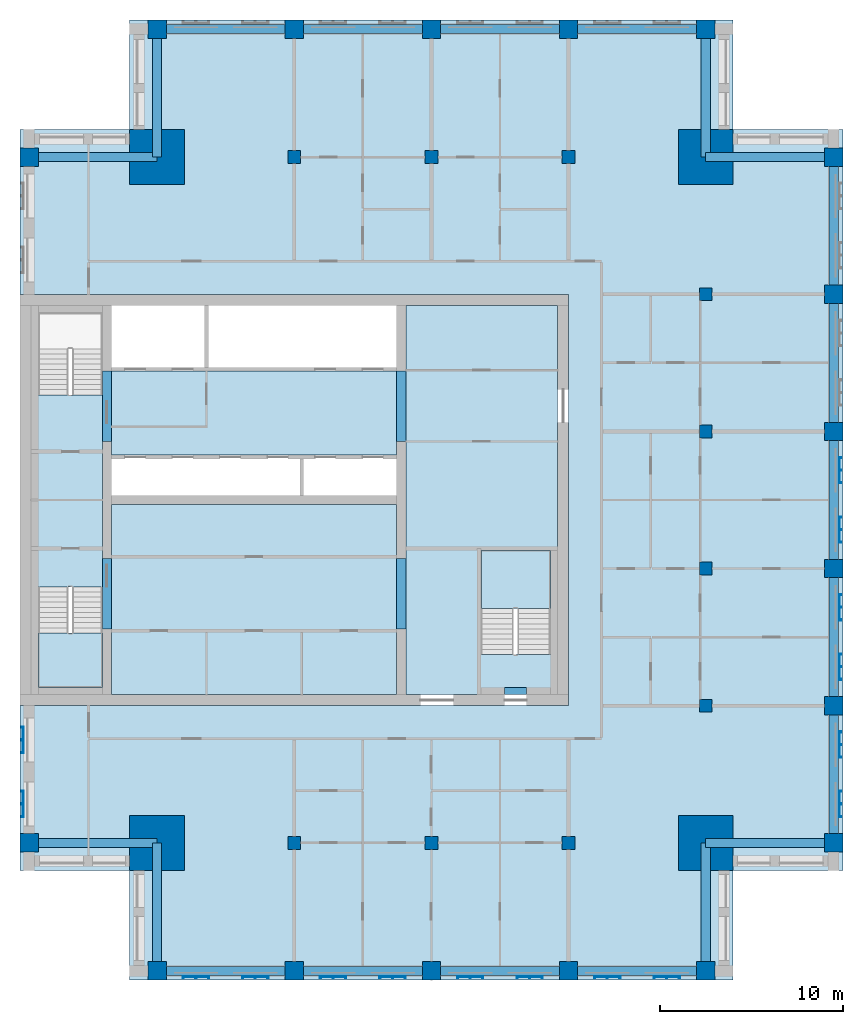
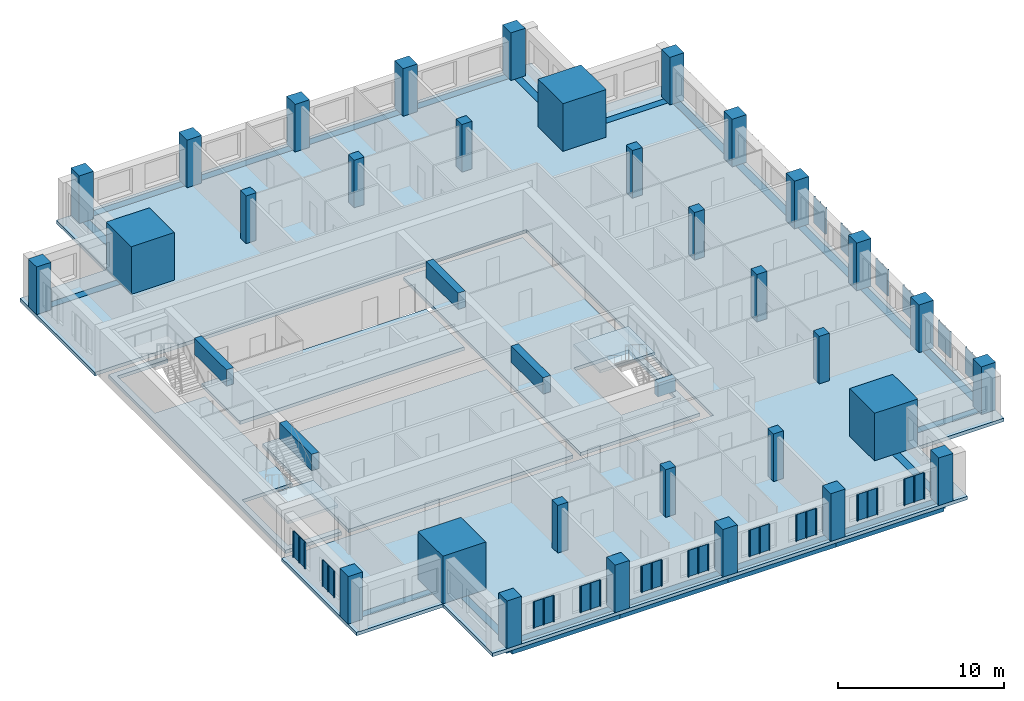
# One storey, part 1 of 10: 32 columns, 26 beams, 16 plates, 7 slabs, 2 elements without a shape of their own.
"""IFC4 building model written with IfcOpenShell, lengths in metres."""

from ifc_helpers import new_model, si_unit, direction, frame, origin, origin_2d, place, context, subcontext, project, spatial, polyline, rectangle, outline, extrude, material, layer, layer_set, material_profile, profile_set, type_object, element, aggregate, save


model = new_model("IFC4")

# Units and contexts
model_context = context("Model", 3, precision=1e-05, world=origin(), true_north=direction((0.0, 1.0)))
body_context = subcontext(model_context, "Body", "Model", "MODEL_VIEW")
ifc_project = project(units=[si_unit("LENGTHUNIT", "METRE"), si_unit("AREAUNIT", "SQUARE_METRE"), si_unit("VOLUMEUNIT", "CUBIC_METRE"), si_unit("PLANEANGLEUNIT", "RADIAN"), si_unit("MASSUNIT", "GRAM", prefix="KILO")], contexts=[model_context])

# Site, building, storey
site_placement = place(None, origin())
site = spatial("IfcSite", under=ifc_project, at=site_placement, CompositionType="ELEMENT")
building_placement = place(site_placement, origin())
building = spatial("IfcBuilding", under=site, at=building_placement, Name="Tamorin Gate", CompositionType="ELEMENT")
storey_placement = place(building_placement, frame((0.0, 0.0, 283.699951171875)))
storey = spatial("IfcBuildingStorey", under=building, at=storey_placement, Name="L71", CompositionType="ELEMENT", Elevation=283.699951171875)

# Columns
ifc_material_1 = material(Name="Concrete C50/60", Category="concrete")
ifc_material_profile_1 = material_profile(ifc_material_1, rectangle(XDim=1.0, YDim=1.0, at=origin_2d()), Name="RC 1000x1000")
ifc_profile_set_1 = profile_set([ifc_material_profile_1], Name="Concrete C50/60")
column_type_1 = type_object("IfcColumnType", Name="RC column 1000x1000 C50/60", PredefinedType="COLUMN", material=ifc_profile_set_1)
for number, where, z_axis, x_axis, name in (
    (1, (30.5, 52.5, 0.0), (0.0, 0.0, 1.0), (1.0, 0.0, 0.0), "Ring column L71"),
    (2, (30.5, 90.0, 0.0), (0.0, 0.0, 1.0), (1.0, 0.0, 0.0), "Ring column L71"),
    (3, (37.5, 45.5, 0.0), (0.0, 0.0, 1.0), (1.0, 0.0, 0.0), "Ring column L71"),
    (4, (37.5, 97.0, 0.0), (0.0, 0.0, 1.0), (1.0, 0.0, 0.0), "Ring column L71"),
    (5, (45.0, 45.5, 0.0), (0.0, 0.0, 1.0), (1.0, 0.0, 0.0), "Ring column L71"),
    (6, (45.0, 97.0, 0.0), (0.0, 0.0, 1.0), (1.0, 0.0, 0.0), "Ring column L71"),
    (7, (52.5, 45.5, 0.0), (0.0, 0.0, 1.0), (1.0, 0.0, 0.0), "Ring column L71"),
    (8, (52.5, 97.0, 0.0), (0.0, 0.0, 1.0), (1.0, 0.0, 0.0), "Ring column L71"),
    (9, (60.0, 45.5, 0.0), (0.0, 0.0, 1.0), (1.0, 0.0, 0.0), "Ring column L71"),
    (10, (60.0, 97.0, 0.0), (0.0, 0.0, 1.0), (1.0, 0.0, 0.0), "Ring column L71"),
    (11, (67.5, 45.5, 0.0), (0.0, 0.0, 1.0), (1.0, 0.0, 0.0), "Ring column L71"),
    (12, (67.5, 97.0, 0.0), (0.0, 0.0, 1.0), (1.0, 0.0, 0.0), "Ring column L71"),
    (13, (74.5, 52.5, 0.0), (0.0, 0.0, 1.0), (1.0, 0.0, 0.0), "Ring column L71"),
    (14, (74.5, 60.0, 0.0), (0.0, 0.0, 1.0), (1.0, 0.0, 0.0), "Ring column L71"),
    (15, (74.5, 67.5, 0.0), (0.0, 0.0, 1.0), (1.0, 0.0, 0.0), "Ring column L71"),
    (16, (74.5, 75.0, 0.0), (0.0, 0.0, 1.0), (1.0, 0.0, 0.0), "Ring column L71"),
    (17, (74.5, 82.5, 0.0), (0.0, 0.0, 1.0), (1.0, 0.0, 0.0), "Ring column L71"),
    (18, (74.5, 90.0, 0.0), (0.0, 0.0, 1.0), (1.0, 0.0, 0.0), "Ring column L71"),
):
    element("IfcColumn", number, at=place(storey_placement, frame(where, z_axis=z_axis, x_axis=x_axis)), inside=storey, type_object=column_type_1, Name=name, PredefinedType="COLUMN", context=body_context, shape_type="SweptSolid", body=[
        extrude(rectangle(XDim=1.0, YDim=1.0, at=origin_2d()), origin(), (0.0, 0.0, 1.0), 3.5),
    ])
ifc_material_profile_2 = material_profile(ifc_material_1, rectangle(XDim=3.0, YDim=3.0, at=origin_2d()), Name="RC 3000x3000")
ifc_profile_set_2 = profile_set([ifc_material_profile_2], Name="Concrete C50/60")
column_type_2 = type_object("IfcColumnType", Name="RC column 3000x3000 C50/60", PredefinedType="COLUMN", material=ifc_profile_set_2)
for number, where, z_axis, x_axis, name in (
    (19, (37.5, 52.5, 0.0), (0.0, 0.0, 1.0), (1.0, 0.0, 0.0), "Mega column SW L71"),
    (20, (67.5, 52.5, 0.0), (0.0, 0.0, 1.0), (1.0, 0.0, 0.0), "Mega column SE L71"),
    (21, (37.5, 90.0, 0.0), (0.0, 0.0, 1.0), (1.0, 0.0, 0.0), "Mega column NW L71"),
    (22, (67.5, 90.0, 0.0), (0.0, 0.0, 1.0), (1.0, 0.0, 0.0), "Mega column NE L71"),
):
    element("IfcColumn", number, at=place(storey_placement, frame(where, z_axis=z_axis, x_axis=x_axis)), inside=storey, type_object=column_type_2, Name=name, PredefinedType="COLUMN", context=body_context, shape_type="SweptSolid", body=[
        extrude(rectangle(XDim=3.0, YDim=3.0, at=origin_2d()), origin(), (0.0, 0.0, 1.0), 3.5),
    ])
ifc_material_profile_3 = material_profile(ifc_material_1, rectangle(XDim=0.699951171875, YDim=0.699951171875, at=origin_2d()), Name="RC 700x700")
ifc_profile_set_3 = profile_set([ifc_material_profile_3], Name="Concrete C50/60")
column_type_3 = type_object("IfcColumnType", Name="RC column 700x700 C50/60", PredefinedType="COLUMN", material=ifc_profile_set_3)
for number, where, z_axis, x_axis, name in (
    (23, (45.0, 52.5, 0.0), (0.0, 0.0, 1.0), (1.0, 0.0, 0.0), "Interior column L71"),
    (24, (45.0, 90.0, 0.0), (0.0, 0.0, 1.0), (1.0, 0.0, 0.0), "Interior column L71"),
    (25, (52.5, 52.5, 0.0), (0.0, 0.0, 1.0), (1.0, 0.0, 0.0), "Interior column L71"),
    (26, (52.5, 90.0, 0.0), (0.0, 0.0, 1.0), (1.0, 0.0, 0.0), "Interior column L71"),
    (27, (60.0, 52.5, 0.0), (0.0, 0.0, 1.0), (1.0, 0.0, 0.0), "Interior column L71"),
    (28, (60.0, 90.0, 0.0), (0.0, 0.0, 1.0), (1.0, 0.0, 0.0), "Interior column L71"),
    (29, (67.5, 60.0, 0.0), (0.0, 0.0, 1.0), (1.0, 0.0, 0.0), "Interior column L71"),
    (30, (67.5, 67.5, 0.0), (0.0, 0.0, 1.0), (1.0, 0.0, 0.0), "Interior column L71"),
    (31, (67.5, 75.0, 0.0), (0.0, 0.0, 1.0), (1.0, 0.0, 0.0), "Interior column L71"),
    (32, (67.5, 82.5, 0.0), (0.0, 0.0, 1.0), (1.0, 0.0, 0.0), "Interior column L71"),
):
    element("IfcColumn", number, at=place(storey_placement, frame(where, z_axis=z_axis, x_axis=x_axis)), inside=storey, type_object=column_type_3, Name=name, PredefinedType="COLUMN", context=body_context, shape_type="SweptSolid", body=[
        extrude(rectangle(XDim=0.699951171875, YDim=0.699951171875, at=origin_2d()), origin(), (0.0, 0.0, 1.0), 3.5),
    ])

# Beams
ifc_material_profile_4 = material_profile(ifc_material_1, rectangle(XDim=0.5, YDim=1.199951171875, at=origin_2d()), Name="RC 500x1200")
ifc_profile_set_4 = profile_set([ifc_material_profile_4], Name="Concrete C50/60")
beam_type_1 = type_object("IfcBeamType", Name="RC coupling beam 500x1200 C50/60", PredefinedType="BEAM", material=ifc_profile_set_4)
for number, where, z_axis, x_axis, name in (
    (33, (34.75, 64.199951171875, 2.900146484375), (0.0, 1.0, 0.0), (-1.0, 0.0, 0.0), "Coupling beam L71"),
    (34, (34.75, 74.449951171875, 2.900146484375), (0.0, 1.0, 0.0), (-1.0, 0.0, 0.0), "Coupling beam L71"),
    (35, (50.85009765625, 64.199951171875, 2.900146484375), (0.0, 1.0, 0.0), (-1.0, 0.0, 0.0), "Coupling beam L71"),
    (36, (50.85009765625, 74.449951171875, 2.900146484375), (0.0, 1.0, 0.0), (-1.0, 0.0, 0.0), "Coupling beam L71"),
):
    element("IfcBeam", number, at=place(storey_placement, frame(where, z_axis=z_axis, x_axis=x_axis)), inside=storey, type_object=beam_type_1, Name=name, PredefinedType="BEAM", context=body_context, shape_type="SweptSolid", body=[
        extrude(rectangle(XDim=0.5, YDim=1.199951171875, at=origin_2d()), origin(), (0.0, 0.0, 1.0), 3.85009765625),
    ])
ifc_material_profile_5 = material_profile(ifc_material_1, rectangle(XDim=0.5, YDim=0.75, at=origin_2d()), Name="RC 500x750")
ifc_profile_set_5 = profile_set([ifc_material_profile_5], Name="Concrete C50/60")
beam_type_2 = type_object("IfcBeamType", Name="RC spandrel 500x750 C50/60", PredefinedType="BEAM", material=ifc_profile_set_5)
for number, where, z_axis, x_axis, name in (
    (37, (37.5, 45.5, -0.375), (1.0, 0.0, 0.0), (0.0, 1.0, 0.0), "Spandrel beam L71"),
    (38, (45.0, 45.5, -0.375), (1.0, 0.0, 0.0), (0.0, 1.0, 0.0), "Spandrel beam L71"),
    (39, (52.5, 45.5, -0.375), (1.0, 0.0, 0.0), (0.0, 1.0, 0.0), "Spandrel beam L71"),
    (40, (60.0, 45.5, -0.375), (1.0, 0.0, 0.0), (0.0, 1.0, 0.0), "Spandrel beam L71"),
    (41, (74.5, 52.5, -0.375), (0.0, 1.0, 0.0), (-1.0, 0.0, 0.0), "Spandrel beam L71"),
    (42, (74.5, 60.0, -0.375), (0.0, 1.0, 0.0), (-1.0, 0.0, 0.0), "Spandrel beam L71"),
    (43, (74.5, 67.5, -0.375), (0.0, 1.0, 0.0), (-1.0, 0.0, 0.0), "Spandrel beam L71"),
    (44, (74.5, 75.0, -0.375), (0.0, 1.0, 0.0), (-1.0, 0.0, 0.0), "Spandrel beam L71"),
    (45, (74.5, 82.5, -0.375), (0.0, 1.0, 0.0), (-1.0, 0.0, 0.0), "Spandrel beam L71"),
    (46, (67.5, 97.0, -0.375), (-1.0, 0.0, 0.0), (0.0, -1.0, 0.0), "Spandrel beam L71"),
    (47, (60.0, 97.0, -0.375), (-1.0, 0.0, 0.0), (0.0, -1.0, 0.0), "Spandrel beam L71"),
    (48, (52.5, 97.0, -0.375), (-1.0, 0.0, 0.0), (0.0, -1.0, 0.0), "Spandrel beam L71"),
    (49, (45.0, 97.0, -0.375), (-1.0, 0.0, 0.0), (0.0, -1.0, 0.0), "Spandrel beam L71"),
):
    element("IfcBeam", number, at=place(storey_placement, frame(where, z_axis=z_axis, x_axis=x_axis)), inside=storey, type_object=beam_type_2, Name=name, PredefinedType="BEAM", context=body_context, shape_type="SweptSolid", body=[
        extrude(rectangle(XDim=0.5, YDim=0.75, at=origin_2d()), origin(), (0.0, 0.0, 1.0), 7.5),
    ])
for number, where, z_axis, x_axis, name in (
    (50, (37.5, 52.5, -0.375), (-1.0, 0.0, 0.0), (0.0, -1.0, 0.0), "Corner tie beam L71"),
    (51, (37.5, 52.5, -0.375), (0.0, -1.0, 0.0), (1.0, 0.0, 0.0), "Corner tie beam L71"),
    (52, (67.5, 52.5, -0.375), (0.0, -1.0, 0.0), (1.0, 0.0, 0.0), "Corner tie beam L71"),
    (53, (67.5, 52.5, -0.375), (1.0, 0.0, 0.0), (0.0, 1.0, 0.0), "Corner tie beam L71"),
    (54, (37.5, 90.0, -0.375), (-1.0, 0.0, 0.0), (0.0, -1.0, 0.0), "Corner tie beam L71"),
    (55, (37.5, 90.0, -0.375), (0.0, 1.0, 0.0), (-1.0, 0.0, 0.0), "Corner tie beam L71"),
    (56, (67.5, 90.0, -0.375), (0.0, 1.0, 0.0), (-1.0, 0.0, 0.0), "Corner tie beam L71"),
    (57, (67.5, 90.0, -0.375), (1.0, 0.0, 0.0), (0.0, 1.0, 0.0), "Corner tie beam L71"),
):
    element("IfcBeam", number, at=place(storey_placement, frame(where, z_axis=z_axis, x_axis=x_axis)), inside=storey, type_object=beam_type_2, Name=name, PredefinedType="BEAM", context=body_context, shape_type="SweptSolid", body=[
        extrude(rectangle(XDim=0.5, YDim=0.75, at=origin_2d()), origin(), (0.0, 0.0, 1.0), 7.0),
    ])
ifc_material_profile_6 = material_profile(ifc_material_1, rectangle(XDim=0.39990234375, YDim=1.0, at=origin_2d()))
ifc_profile_set_6 = profile_set([ifc_material_profile_6], Name="Concrete C50/60")
beam_type_3 = type_object("IfcBeamType", Name="Stair lintel 400x1000 C50/60", PredefinedType="BEAM", material=ifc_profile_set_6)
beam_placement = place(storey_placement, frame((56.5, 60.800048828125, 2.699951171875), z_axis=(1.0, 0.0, 0.0), x_axis=(0.0, 1.0, 0.0)))
element("IfcBeam", 58, at=beam_placement, inside=storey, type_object=beam_type_3, Name="Stair lintel", PredefinedType="BEAM", context=body_context, shape_type="SweptSolid", body=[
    extrude(rectangle(XDim=0.39990234375, YDim=1.0, at=origin_2d()), origin(), (0.0, 0.0, 1.0), 1.199951171875),
])

# Slabs
ifc_material_2 = material(Name="Concrete C40/50", Category="concrete")
ifc_layer_1 = layer(ifc_material_2, 0.25)
ifc_layer_set_1 = layer_set([ifc_layer_1], Name="Core floor slab 250 C40/50")
slab_type_1 = type_object("IfcSlabType", Name="Core floor slab 250 C40/50", PredefinedType="FLOOR", material=ifc_layer_set_1)
slab_1_placement = place(storey_placement, frame((0.0, 0.0, -0.25)))
element("IfcSlab", 59, at=slab_1_placement, inside=storey, type_object=slab_type_1, Name="Core floor L71", PredefinedType="FLOOR", context=body_context, shape_type="SweptSolid", body=[
    extrude(outline(polyline([(51.10009765625, 81.89990234375), (59.39990234375, 81.89990234375), (59.39990234375, 60.60009765625), (51.10009765625, 60.60009765625), (51.10009765625, 81.89990234375)]), holes=[polyline([(55.199951171875, 62.800048828125), (59.0, 62.800048828125), (59.0, 68.5), (55.199951171875, 68.5), (55.199951171875, 62.800048828125)])]), origin(), (0.0, 0.0, 1.0), 0.25),
])
slab_2_placement = place(storey_placement, frame((0.0, 0.0, -0.25)))
element("IfcSlab", 60, at=slab_2_placement, inside=storey, type_object=slab_type_1, Name="Core floor L71", PredefinedType="FLOOR", context=body_context, shape_type="SweptSolid", body=[
    extrude(outline(polyline([(50.60009765625, 71.0), (50.60009765625, 60.60009765625), (35.0, 60.60009765625), (35.0, 71.0), (50.60009765625, 71.0)])), origin(), (0.0, 0.0, 1.0), 0.25),
])
slab_3_placement = place(storey_placement, frame((0.0, 0.0, -0.25)))
element("IfcSlab", 61, at=slab_3_placement, inside=storey, type_object=slab_type_1, Name="Core floor L71", PredefinedType="FLOOR", context=body_context, shape_type="SweptSolid", body=[
    extrude(outline(polyline([(50.60009765625, 73.699951171875), (35.0, 73.699951171875), (35.0, 78.300048828125), (50.60009765625, 78.300048828125), (50.60009765625, 73.699951171875)])), origin(), (0.0, 0.0, 1.0), 0.25),
])
slab_4_placement = place(storey_placement, frame((0.0, 0.0, -0.25)))
element("IfcSlab", 62, at=slab_4_placement, inside=storey, type_object=slab_type_1, Name="Core floor L71", PredefinedType="FLOOR", context=body_context, shape_type="SweptSolid", body=[
    extrude(outline(polyline([(34.5, 60.60009765625), (30.60009765625, 60.60009765625), (30.60009765625, 81.89990234375), (34.5, 81.89990234375), (34.5, 81.5), (31.0, 81.5), (31.0, 77.0), (34.5, 77.0), (34.5, 66.5), (31.0, 66.5), (31.0, 61.0), (34.5, 61.0), (34.5, 60.60009765625)])), origin(), (0.0, 0.0, 1.0), 0.25),
])

# Stair, slab
stair_type = type_object("IfcStairType", Name="Exit stair", PredefinedType="HALF_TURN_STAIR", material=ifc_material_2)
stair_1_placement = place(storey_placement, origin())
stair_1 = element("IfcStair", 63, at=stair_1_placement, inside=storey, type_object=stair_type, Name="L71 stair ST1", PredefinedType="HALF_TURN_STAIR")
ifc_layer_2 = layer(ifc_material_2, 0.199951171875)
ifc_layer_set_2 = layer_set([ifc_layer_2], Name="Exit stair landing 200")
slab_type_2 = type_object("IfcSlabType", Name="Exit stair landing 200", PredefinedType="LANDING", material=ifc_layer_set_2)
slab_5_placement = place(storey_placement, frame((0.0, 0.0, 1.550048828125)))
slab_5 = element("IfcSlab", 64, at=slab_5_placement, type_object=slab_type_2, Name="ST1 landing 1", PredefinedType="LANDING", context=body_context, shape_type="SweptSolid", body=[
    extrude(outline(polyline([(31.0, 63.97998046875), (31.0, 61.0), (34.5, 61.0), (34.5, 63.97998046875), (31.0, 63.97998046875)])), origin(), (0.0, 0.0, 1.0), 0.199951171875),
])
aggregate(stair_1, [slab_5])

stair_2_placement = place(storey_placement, origin())
stair_2 = element("IfcStair", 65, at=stair_2_placement, inside=storey, type_object=stair_type, Name="L71 stair ST3", PredefinedType="HALF_TURN_STAIR")
slab_6_placement = place(storey_placement, frame((0.0, 0.0, 1.550048828125)))
slab_6 = element("IfcSlab", 66, at=slab_6_placement, type_object=slab_type_2, Name="ST3 landing 1", PredefinedType="LANDING", context=body_context, shape_type="SweptSolid", body=[
    extrude(outline(polyline([(59.0, 65.320068359375), (59.0, 68.5), (55.199951171875, 68.5), (55.199951171875, 65.320068359375), (59.0, 65.320068359375)])), origin(), (0.0, 0.0, 1.0), 0.199951171875),
])
aggregate(stair_2, [slab_6])

# Slab
ifc_layer_3 = layer(ifc_material_2, 0.25)
ifc_layer_set_3 = layer_set([ifc_layer_3], Name="Floor slab 250 C40/50")
slab_type_3 = type_object("IfcSlabType", Name="Floor slab 250 C40/50", PredefinedType="FLOOR", material=ifc_layer_set_3)
slab_7_placement = place(storey_placement, frame((0.0, 0.0, -0.25)))
element("IfcSlab", 67, at=slab_7_placement, inside=storey, type_object=slab_type_3, Name="Floor L71", PredefinedType="FLOOR", context=body_context, shape_type="SweptSolid", body=[
    extrude(outline(polyline([(30.0, 91.5), (36.0, 91.5), (36.0, 97.5), (69.0, 97.5), (69.0, 91.5), (75.0, 91.5), (75.0, 51.0), (69.0, 51.0), (69.0, 45.0), (36.0, 45.0), (36.0, 51.0), (30.0, 51.0), (30.0, 60.0), (60.0, 60.0), (60.0, 82.5), (30.0, 82.5), (30.0, 91.5)])), origin(), (0.0, 0.0, 1.0), 0.25),
])

# Plates
ifc_material_3 = material(Name="Perforated pale aluminium sheet", Category="aluminium")
ifc_layer_4 = layer(ifc_material_3, 0.0400390625)
ifc_layer_set_4 = layer_set([ifc_layer_4], Name="Pale metal solar screen 1440")
plate_type = type_object("IfcPlateType", Name="Pale metal solar screen 1440", PredefinedType="SHEET", material=ifc_layer_set_4)
plate_1_placement = place(storey_placement, frame((0.0, 0.0, 0.737548828125)))
element("IfcPlate", 68, at=plate_1_placement, inside=storey, type_object=plate_type, Name="Perforated solar screen", PredefinedType="SHEET", context=body_context, shape_type="SweptSolid", body=[
    extrude(outline(polyline([(38.905029296875, 45.159912109375), (38.905029296875, 45.199951171875), (38.965087890625, 45.199951171875), (39.594970703125, 45.199951171875), (39.655029296875, 45.199951171875), (40.284912109375, 45.199951171875), (40.344970703125, 45.199951171875), (40.344970703125, 45.199951171875), (40.344970703125, 45.159912109375), (40.344970703125, 45.159912109375), (40.344970703125, 45.10009765625), (40.284912109375, 45.10009765625), (40.284912109375, 45.159912109375), (39.655029296875, 45.159912109375), (39.655029296875, 45.10009765625), (39.594970703125, 45.10009765625), (39.594970703125, 45.159912109375), (38.965087890625, 45.159912109375), (38.965087890625, 45.10009765625), (38.905029296875, 45.10009765625), (38.905029296875, 45.159912109375)])), origin(), (0.0, 0.0, 1.0), 1.925048828125),
])
plate_2_placement = place(storey_placement, frame((0.0, 0.0, 0.737548828125)))
element("IfcPlate", 69, at=plate_2_placement, inside=storey, type_object=plate_type, Name="Perforated solar screen", PredefinedType="SHEET", context=body_context, shape_type="SweptSolid", body=[
    extrude(outline(polyline([(42.155029296875, 45.159912109375), (42.155029296875, 45.199951171875), (42.215087890625, 45.199951171875), (42.844970703125, 45.199951171875), (42.905029296875, 45.199951171875), (43.534912109375, 45.199951171875), (43.594970703125, 45.199951171875), (43.594970703125, 45.199951171875), (43.594970703125, 45.159912109375), (43.594970703125, 45.159912109375), (43.594970703125, 45.10009765625), (43.534912109375, 45.10009765625), (43.534912109375, 45.159912109375), (42.905029296875, 45.159912109375), (42.905029296875, 45.10009765625), (42.844970703125, 45.10009765625), (42.844970703125, 45.159912109375), (42.215087890625, 45.159912109375), (42.215087890625, 45.10009765625), (42.155029296875, 45.10009765625), (42.155029296875, 45.159912109375)])), origin(), (0.0, 0.0, 1.0), 1.925048828125),
])
plate_3_placement = place(storey_placement, frame((0.0, 0.0, 0.737548828125)))
element("IfcPlate", 70, at=plate_3_placement, inside=storey, type_object=plate_type, Name="Perforated solar screen", PredefinedType="SHEET", context=body_context, shape_type="SweptSolid", body=[
    extrude(outline(polyline([(46.405029296875, 45.159912109375), (46.405029296875, 45.199951171875), (46.465087890625, 45.199951171875), (47.094970703125, 45.199951171875), (47.155029296875, 45.199951171875), (47.784912109375, 45.199951171875), (47.844970703125, 45.199951171875), (47.844970703125, 45.159912109375), (47.844970703125, 45.10009765625), (47.784912109375, 45.10009765625), (47.784912109375, 45.159912109375), (47.155029296875, 45.159912109375), (47.155029296875, 45.10009765625), (47.094970703125, 45.10009765625), (47.094970703125, 45.159912109375), (46.465087890625, 45.159912109375), (46.465087890625, 45.10009765625), (46.405029296875, 45.10009765625), (46.405029296875, 45.159912109375)])), origin(), (0.0, 0.0, 1.0), 1.925048828125),
])
plate_4_placement = place(storey_placement, frame((0.0, 0.0, 0.737548828125)))
element("IfcPlate", 71, at=plate_4_placement, inside=storey, type_object=plate_type, Name="Perforated solar screen", PredefinedType="SHEET", context=body_context, shape_type="SweptSolid", body=[
    extrude(outline(polyline([(49.655029296875, 45.159912109375), (49.655029296875, 45.199951171875), (49.715087890625, 45.199951171875), (50.344970703125, 45.199951171875), (50.405029296875, 45.199951171875), (51.034912109375, 45.199951171875), (51.094970703125, 45.199951171875), (51.094970703125, 45.159912109375), (51.094970703125, 45.10009765625), (51.034912109375, 45.10009765625), (51.034912109375, 45.159912109375), (50.405029296875, 45.159912109375), (50.405029296875, 45.10009765625), (50.344970703125, 45.10009765625), (50.344970703125, 45.159912109375), (49.715087890625, 45.159912109375), (49.715087890625, 45.10009765625), (49.655029296875, 45.10009765625), (49.655029296875, 45.159912109375)])), origin(), (0.0, 0.0, 1.0), 1.925048828125),
])
plate_5_placement = place(storey_placement, frame((0.0, 0.0, 0.737548828125)))
element("IfcPlate", 72, at=plate_5_placement, inside=storey, type_object=plate_type, Name="Perforated solar screen", PredefinedType="SHEET", context=body_context, shape_type="SweptSolid", body=[
    extrude(outline(polyline([(53.905029296875, 45.159912109375), (53.905029296875, 45.199951171875), (53.965087890625, 45.199951171875), (54.594970703125, 45.199951171875), (54.655029296875, 45.199951171875), (55.284912109375, 45.199951171875), (55.344970703125, 45.199951171875), (55.344970703125, 45.159912109375), (55.344970703125, 45.10009765625), (55.284912109375, 45.10009765625), (55.284912109375, 45.159912109375), (54.655029296875, 45.159912109375), (54.655029296875, 45.10009765625), (54.594970703125, 45.10009765625), (54.594970703125, 45.159912109375), (53.965087890625, 45.159912109375), (53.965087890625, 45.10009765625), (53.905029296875, 45.10009765625), (53.905029296875, 45.159912109375)])), origin(), (0.0, 0.0, 1.0), 1.925048828125),
])
plate_6_placement = place(storey_placement, frame((0.0, 0.0, 0.737548828125)))
element("IfcPlate", 73, at=plate_6_placement, inside=storey, type_object=plate_type, Name="Perforated solar screen", PredefinedType="SHEET", context=body_context, shape_type="SweptSolid", body=[
    extrude(outline(polyline([(57.155029296875, 45.159912109375), (57.155029296875, 45.199951171875), (57.215087890625, 45.199951171875), (57.844970703125, 45.199951171875), (57.905029296875, 45.199951171875), (58.534912109375, 45.199951171875), (58.594970703125, 45.199951171875), (58.594970703125, 45.159912109375), (58.594970703125, 45.10009765625), (58.534912109375, 45.10009765625), (58.534912109375, 45.159912109375), (57.905029296875, 45.159912109375), (57.905029296875, 45.10009765625), (57.844970703125, 45.10009765625), (57.844970703125, 45.159912109375), (57.215087890625, 45.159912109375), (57.215087890625, 45.10009765625), (57.155029296875, 45.10009765625), (57.155029296875, 45.159912109375)])), origin(), (0.0, 0.0, 1.0), 1.925048828125),
])
plate_7_placement = place(storey_placement, frame((0.0, 0.0, 0.737548828125)))
element("IfcPlate", 74, at=plate_7_placement, inside=storey, type_object=plate_type, Name="Perforated solar screen", PredefinedType="SHEET", context=body_context, shape_type="SweptSolid", body=[
    extrude(outline(polyline([(61.405029296875, 45.159912109375), (61.405029296875, 45.199951171875), (61.465087890625, 45.199951171875), (62.094970703125, 45.199951171875), (62.155029296875, 45.199951171875), (62.784912109375, 45.199951171875), (62.844970703125, 45.199951171875), (62.844970703125, 45.159912109375), (62.844970703125, 45.10009765625), (62.784912109375, 45.10009765625), (62.784912109375, 45.159912109375), (62.155029296875, 45.159912109375), (62.155029296875, 45.10009765625), (62.094970703125, 45.10009765625), (62.094970703125, 45.159912109375), (61.465087890625, 45.159912109375), (61.465087890625, 45.10009765625), (61.405029296875, 45.10009765625), (61.405029296875, 45.159912109375)])), origin(), (0.0, 0.0, 1.0), 1.925048828125),
])
plate_8_placement = place(storey_placement, frame((0.0, 0.0, 0.737548828125)))
element("IfcPlate", 75, at=plate_8_placement, inside=storey, type_object=plate_type, Name="Perforated solar screen", PredefinedType="SHEET", context=body_context, shape_type="SweptSolid", body=[
    extrude(outline(polyline([(64.655029296875, 45.159912109375), (64.655029296875, 45.199951171875), (64.715087890625, 45.199951171875), (65.344970703125, 45.199951171875), (65.405029296875, 45.199951171875), (66.034912109375, 45.199951171875), (66.094970703125, 45.199951171875), (66.094970703125, 45.159912109375), (66.094970703125, 45.10009765625), (66.034912109375, 45.10009765625), (66.034912109375, 45.159912109375), (65.405029296875, 45.159912109375), (65.405029296875, 45.10009765625), (65.344970703125, 45.10009765625), (65.344970703125, 45.159912109375), (64.715087890625, 45.159912109375), (64.715087890625, 45.10009765625), (64.655029296875, 45.10009765625), (64.655029296875, 45.159912109375)])), origin(), (0.0, 0.0, 1.0), 1.925048828125),
])
plate_9_placement = place(storey_placement, frame((0.0, 0.0, 0.737548828125)))
element("IfcPlate", 76, at=plate_9_placement, inside=storey, type_object=plate_type, Name="Perforated solar screen", PredefinedType="SHEET", context=body_context, shape_type="SweptSolid", body=[
    extrude(outline(polyline([(74.840087890625, 53.905029296875), (74.800048828125, 53.905029296875), (74.800048828125, 53.965087890625), (74.800048828125, 54.594970703125), (74.800048828125, 54.655029296875), (74.800048828125, 55.284912109375), (74.800048828125, 55.344970703125), (74.800048828125, 55.344970703125), (74.840087890625, 55.344970703125), (74.840087890625, 55.344970703125), (74.89990234375, 55.344970703125), (74.89990234375, 55.284912109375), (74.840087890625, 55.284912109375), (74.840087890625, 54.655029296875), (74.89990234375, 54.655029296875), (74.89990234375, 54.594970703125), (74.840087890625, 54.594970703125), (74.840087890625, 53.965087890625), (74.89990234375, 53.965087890625), (74.89990234375, 53.905029296875), (74.840087890625, 53.905029296875)])), origin(), (0.0, 0.0, 1.0), 1.925048828125),
])
plate_10_placement = place(storey_placement, frame((0.0, 0.0, 0.737548828125)))
element("IfcPlate", 77, at=plate_10_placement, inside=storey, type_object=plate_type, Name="Perforated solar screen", PredefinedType="SHEET", context=body_context, shape_type="SweptSolid", body=[
    extrude(outline(polyline([(74.840087890625, 57.155029296875), (74.800048828125, 57.155029296875), (74.800048828125, 57.215087890625), (74.800048828125, 57.844970703125), (74.800048828125, 57.905029296875), (74.800048828125, 58.534912109375), (74.800048828125, 58.594970703125), (74.800048828125, 58.594970703125), (74.840087890625, 58.594970703125), (74.840087890625, 58.594970703125), (74.89990234375, 58.594970703125), (74.89990234375, 58.534912109375), (74.840087890625, 58.534912109375), (74.840087890625, 57.905029296875), (74.89990234375, 57.905029296875), (74.89990234375, 57.844970703125), (74.840087890625, 57.844970703125), (74.840087890625, 57.215087890625), (74.89990234375, 57.215087890625), (74.89990234375, 57.155029296875), (74.840087890625, 57.155029296875)])), origin(), (0.0, 0.0, 1.0), 1.925048828125),
])
plate_11_placement = place(storey_placement, frame((0.0, 0.0, 0.737548828125)))
element("IfcPlate", 78, at=plate_11_placement, inside=storey, type_object=plate_type, Name="Perforated solar screen", PredefinedType="SHEET", context=body_context, shape_type="SweptSolid", body=[
    extrude(outline(polyline([(74.840087890625, 61.405029296875), (74.800048828125, 61.405029296875), (74.800048828125, 61.465087890625), (74.800048828125, 62.094970703125), (74.800048828125, 62.155029296875), (74.800048828125, 62.784912109375), (74.800048828125, 62.844970703125), (74.840087890625, 62.844970703125), (74.89990234375, 62.844970703125), (74.89990234375, 62.784912109375), (74.840087890625, 62.784912109375), (74.840087890625, 62.155029296875), (74.89990234375, 62.155029296875), (74.89990234375, 62.094970703125), (74.840087890625, 62.094970703125), (74.840087890625, 61.465087890625), (74.89990234375, 61.465087890625), (74.89990234375, 61.405029296875), (74.840087890625, 61.405029296875)])), origin(), (0.0, 0.0, 1.0), 1.925048828125),
])
plate_12_placement = place(storey_placement, frame((0.0, 0.0, 0.737548828125)))
element("IfcPlate", 79, at=plate_12_placement, inside=storey, type_object=plate_type, Name="Perforated solar screen", PredefinedType="SHEET", context=body_context, shape_type="SweptSolid", body=[
    extrude(outline(polyline([(74.840087890625, 64.655029296875), (74.800048828125, 64.655029296875), (74.800048828125, 64.715087890625), (74.800048828125, 65.344970703125), (74.800048828125, 65.405029296875), (74.800048828125, 66.034912109375), (74.800048828125, 66.094970703125), (74.840087890625, 66.094970703125), (74.89990234375, 66.094970703125), (74.89990234375, 66.034912109375), (74.840087890625, 66.034912109375), (74.840087890625, 65.405029296875), (74.89990234375, 65.405029296875), (74.89990234375, 65.344970703125), (74.840087890625, 65.344970703125), (74.840087890625, 64.715087890625), (74.89990234375, 64.715087890625), (74.89990234375, 64.655029296875), (74.840087890625, 64.655029296875)])), origin(), (0.0, 0.0, 1.0), 1.925048828125),
])
plate_13_placement = place(storey_placement, frame((0.0, 0.0, 0.737548828125)))
element("IfcPlate", 80, at=plate_13_placement, inside=storey, type_object=plate_type, Name="Perforated solar screen", PredefinedType="SHEET", context=body_context, shape_type="SweptSolid", body=[
    extrude(outline(polyline([(74.840087890625, 68.905029296875), (74.800048828125, 68.905029296875), (74.800048828125, 68.965087890625), (74.800048828125, 69.594970703125), (74.800048828125, 69.655029296875), (74.800048828125, 70.284912109375), (74.800048828125, 70.344970703125), (74.840087890625, 70.344970703125), (74.89990234375, 70.344970703125), (74.89990234375, 70.284912109375), (74.840087890625, 70.284912109375), (74.840087890625, 69.655029296875), (74.89990234375, 69.655029296875), (74.89990234375, 69.594970703125), (74.840087890625, 69.594970703125), (74.840087890625, 68.965087890625), (74.89990234375, 68.965087890625), (74.89990234375, 68.905029296875), (74.840087890625, 68.905029296875)])), origin(), (0.0, 0.0, 1.0), 1.925048828125),
])
plate_14_placement = place(storey_placement, frame((0.0, 0.0, 0.737548828125)))
element("IfcPlate", 81, at=plate_14_placement, inside=storey, type_object=plate_type, Name="Perforated solar screen", PredefinedType="SHEET", context=body_context, shape_type="SweptSolid", body=[
    extrude(outline(polyline([(74.840087890625, 72.155029296875), (74.800048828125, 72.155029296875), (74.800048828125, 72.215087890625), (74.800048828125, 72.844970703125), (74.800048828125, 72.905029296875), (74.800048828125, 73.534912109375), (74.800048828125, 73.594970703125), (74.840087890625, 73.594970703125), (74.89990234375, 73.594970703125), (74.89990234375, 73.534912109375), (74.840087890625, 73.534912109375), (74.840087890625, 72.905029296875), (74.89990234375, 72.905029296875), (74.89990234375, 72.844970703125), (74.840087890625, 72.844970703125), (74.840087890625, 72.215087890625), (74.89990234375, 72.215087890625), (74.89990234375, 72.155029296875), (74.840087890625, 72.155029296875)])), origin(), (0.0, 0.0, 1.0), 1.925048828125),
])
plate_15_placement = place(storey_placement, frame((0.0, 0.0, 0.737548828125)))
element("IfcPlate", 82, at=plate_15_placement, inside=storey, type_object=plate_type, Name="Perforated solar screen", PredefinedType="SHEET", context=body_context, shape_type="SweptSolid", body=[
    extrude(outline(polyline([(30.159912109375, 55.344970703125), (30.199951171875, 55.344970703125), (30.199951171875, 55.284912109375), (30.199951171875, 54.655029296875), (30.199951171875, 54.594970703125), (30.199951171875, 53.965087890625), (30.199951171875, 53.905029296875), (30.159912109375, 53.905029296875), (30.10009765625, 53.905029296875), (30.10009765625, 53.965087890625), (30.159912109375, 53.965087890625), (30.159912109375, 54.594970703125), (30.10009765625, 54.594970703125), (30.10009765625, 54.655029296875), (30.159912109375, 54.655029296875), (30.159912109375, 55.284912109375), (30.10009765625, 55.284912109375), (30.10009765625, 55.344970703125), (30.159912109375, 55.344970703125)])), origin(), (0.0, 0.0, 1.0), 1.925048828125),
])
plate_16_placement = place(storey_placement, frame((0.0, 0.0, 0.737548828125)))
element("IfcPlate", 83, at=plate_16_placement, inside=storey, type_object=plate_type, Name="Perforated solar screen", PredefinedType="SHEET", context=body_context, shape_type="SweptSolid", body=[
    extrude(outline(polyline([(30.159912109375, 58.844970703125), (30.199951171875, 58.844970703125), (30.199951171875, 58.784912109375), (30.199951171875, 58.155029296875), (30.199951171875, 58.094970703125), (30.199951171875, 57.465087890625), (30.199951171875, 57.405029296875), (30.159912109375, 57.405029296875), (30.10009765625, 57.405029296875), (30.10009765625, 57.465087890625), (30.159912109375, 57.465087890625), (30.159912109375, 58.094970703125), (30.10009765625, 58.094970703125), (30.10009765625, 58.155029296875), (30.159912109375, 58.155029296875), (30.159912109375, 58.784912109375), (30.10009765625, 58.784912109375), (30.10009765625, 58.844970703125), (30.159912109375, 58.844970703125)])), origin(), (0.0, 0.0, 1.0), 1.925048828125),
])

save(model, "model.ifc")
